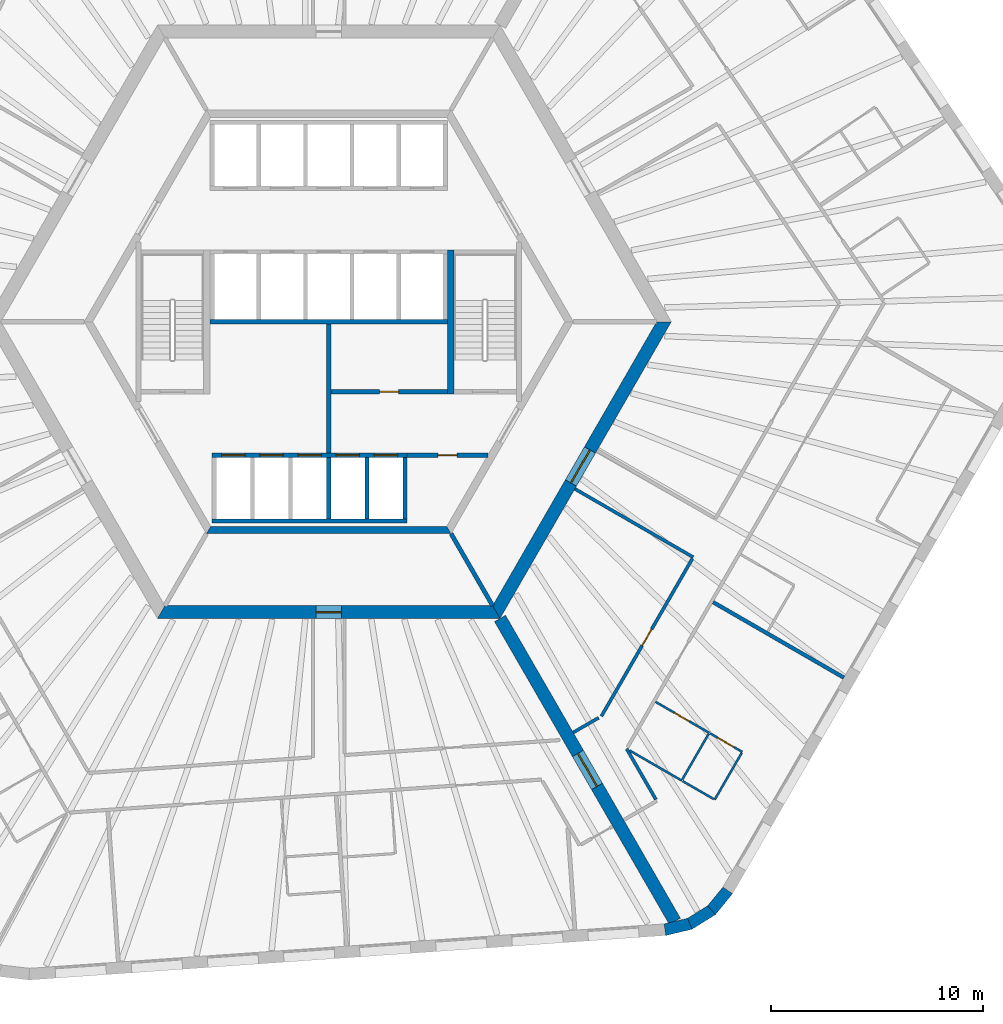
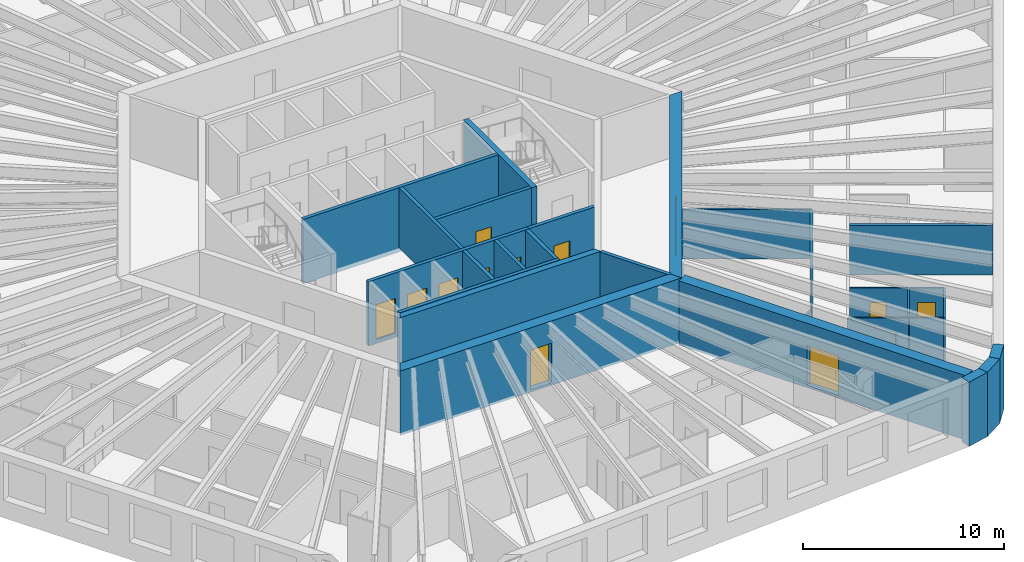
# One storey, part 5 of 11: 29 walls, 13 doors, 13 openings.
"""IFC4 building model written with IfcOpenShell, lengths in metres."""

from ifc_helpers import new_model, si_unit, direction, frame, frame_2d, origin, place, context, subcontext, project, spatial, polyline, rectangle, outline, extrude, material, layer, layer_set, type_object, element, fill, save


model = new_model("IFC4")

# Units and contexts
model_context = context("Model", 3, precision=1e-05, world=origin(), true_north=direction((0.0, 1.0)))
body_context = subcontext(model_context, "Body", "Model", "MODEL_VIEW")
ifc_project = project(units=[si_unit("LENGTHUNIT", "METRE"), si_unit("AREAUNIT", "SQUARE_METRE"), si_unit("VOLUMEUNIT", "CUBIC_METRE"), si_unit("PLANEANGLEUNIT", "RADIAN"), si_unit("MASSUNIT", "GRAM", prefix="KILO")], contexts=[model_context])

# Site, building, storey
site_placement = place(None, origin())
site = spatial("IfcSite", under=ifc_project, at=site_placement, CompositionType="ELEMENT")
building_placement = place(site_placement, origin())
building = spatial("IfcBuilding", under=site, at=building_placement, Name="Tarnside Tower", CompositionType="ELEMENT")
storey_placement = place(building_placement, frame((0.0, 0.0, 107.699951171875)))
storey = spatial("IfcBuildingStorey", under=building, at=storey_placement, Name="L24", CompositionType="ELEMENT", Elevation=107.699951171875)

# Wall
ifc_material_1 = material(Name="Gypsum board partition on steel studs", Category="steel")
ifc_layer_1 = layer(ifc_material_1, 0.10009765625)
ifc_layer_set_1 = layer_set([ifc_layer_1], Name="Bathroom wall 100")
wall_type_1 = type_object("IfcWallType", Name="Bathroom wall 100", PredefinedType="PARTITIONING", material=ifc_layer_set_1)
wall_1_placement = place(storey_placement, frame((16.656494140625, -21.64990234375, 0.0), z_axis=(0.0, 0.0, 1.0), x_axis=(-0.866041498374, 0.499972122318, 0.0)))
element("IfcWall", 1, at=wall_1_placement, inside=storey, type_object=wall_type_1, Name="Bathroom wall 07131", PredefinedType="PARTITIONING", context=body_context, shape_type="SweptSolid", body=[
    extrude(rectangle(XDim=2.849853515625, YDim=0.10009765625, at=frame_2d((1.4248046875, 0.0))), origin(), (0.0, 0.0, 1.0), 2.98779296875),
])

# Wall, opening, door
wall_2_placement = place(storey_placement, frame((15.42333984375, -17.935791015625, 0.0), z_axis=(0.0, 0.0, 1.0), x_axis=(0.86601045545, -0.500025890382, 0.0)))
wall_2 = element("IfcWall", 2, at=wall_2_placement, inside=storey, type_object=wall_type_1, Name="Bathroom wall 07132", PredefinedType="PARTITIONING", context=body_context, shape_type="SweptSolid", body=[
    extrude(rectangle(XDim=2.925048828125, YDim=0.10009765625, at=frame_2d((1.46240234375, 0.0))), origin(), (0.0, 0.0, 1.0), 2.98779296875),
])
opening_1_placement = place(wall_2_placement, frame((1.02490234375, 0.0, 0.0)))
opening_1 = element("IfcOpeningElement", 3, at=opening_1_placement, cuts=wall_2, Name="Opening D-B1", PredefinedType="OPENING", context=body_context, shape_type="SweptSolid", body=[
    extrude(rectangle(XDim=0.800048828125, YDim=2.10009765625, at=frame_2d((0.39990234375, 1.050048828125))), frame((0.0, 0.06005859375, 0.0), z_axis=(0.0, -1.0, 0.0), x_axis=(1.0, 0.0, 0.0)), (0.0, 0.0, 1.0), 0.1201171875),
])
ifc_material_2 = material(Name="Timber door leaf", Category="wood")
door_type_1 = type_object("IfcDoorType", Name="Bathroom door 800", OperationType="NOTDEFINED", PredefinedType="DOOR", material=ifc_material_2)
door_1_placement = place(opening_1_placement, origin())
door_1 = element("IfcDoor", 4, at=door_1_placement, inside=storey, type_object=door_type_1, Name="Bathroom door 07030", OperationType="SINGLE_SWING_RIGHT", OverallHeight=2.10009765625, OverallWidth=0.800048828125, PredefinedType="DOOR", context=body_context, shape_type="SweptSolid", body=[
    extrude(rectangle(XDim=0.800048828125, YDim=2.10009765625, at=frame_2d((0.39990234375, 1.050048828125))), frame((0.0, 0.02490234375, 0.0), z_axis=(0.0, -1.0, 0.0), x_axis=(1.0, 0.0, 0.0)), (0.0, 0.0, 1.0), 0.050048828125),
])
fill(opening_1, door_1)

# Walls
wall_3_placement = place(storey_placement, frame((16.681640625, -21.606689453125, 0.0), z_axis=(0.0, 0.0, 1.0), x_axis=(0.500004234368, 0.866022959057, 0.0)))
element("IfcWall", 5, at=wall_3_placement, inside=storey, type_object=wall_type_1, Name="Bathroom wall 07138", PredefinedType="PARTITIONING", context=body_context, shape_type="SweptSolid", body=[
    extrude(rectangle(XDim=2.5, YDim=0.10009765625, at=frame_2d((1.25, 0.0))), origin(), (0.0, 0.0, 1.0), 2.98779296875),
])
ifc_material_3 = material(Name="Concrete C50/60", Category="concrete")
ifc_layer_2 = layer(ifc_material_3, 0.35009765625)
ifc_layer_set_2 = layer_set([ifc_layer_2], Name="Core block wall 350 C50/60")
wall_type_2 = type_object("IfcWallType", Name="Core block wall 350 C50/60", PredefinedType="SHEAR", material=ifc_layer_set_2)
wall_4_placement = place(storey_placement, frame((-5.672607421875, -9.824951171875, -0.14990234375), z_axis=(0.0, 0.0, 1.0), x_axis=(1.0, 0.0, 0.0)))
element("IfcWall", 6, at=wall_4_placement, inside=storey, type_object=wall_type_2, Name="L24 core block wall face 4", PredefinedType="SHEAR", context=body_context, shape_type="SweptSolid", body=[
    extrude(outline(polyline([(-0.10107421875, -0.175048828125), (11.4462890625, -0.175048828125), (11.244140625, 0.175048828125), (0.10107421875, 0.175048828125), (-0.10107421875, -0.175048828125)])), origin(), (0.0, 0.0, 1.0), 3.89990234375),
])

# Wall, opening, door
ifc_material_4 = material(Name="Concrete C40/50", Category="concrete")
ifc_layer_3 = layer(ifc_material_4, 0.199951171875)
ifc_layer_set_3 = layer_set([ifc_layer_3], Name="Core room partition 200 C40/50")
wall_type_3 = type_object("IfcWallType", Name="Core room partition 200 C40/50", PredefinedType="PARTITIONING", material=ifc_layer_set_3)
wall_5_placement = place(storey_placement, frame((0.10009765625, -3.300048828125, 0.0), z_axis=(0.0, 0.0, 1.0), x_axis=(1.0, 0.0, 0.0)))
wall_5 = element("IfcWall", 7, at=wall_5_placement, inside=storey, type_object=wall_type_3, Name="L24 core partition R3S1", PredefinedType="PARTITIONING", context=body_context, shape_type="SweptSolid", body=[
    extrude(rectangle(XDim=5.5, YDim=0.199951171875, at=frame_2d((2.75, 0.0))), origin(), (0.0, 0.0, 1.0), 3.650146484375),
])
opening_2_placement = place(wall_5_placement, frame((2.300048828125, 0.0, 0.0)))
opening_2 = element("IfcOpeningElement", 8, at=opening_2_placement, cuts=wall_5, Name="Opening CD-room", PredefinedType="OPENING", context=body_context, shape_type="SweptSolid", body=[
    extrude(rectangle(XDim=0.89990234375, YDim=2.10009765625, at=frame_2d((0.449951171875, 1.050048828125))), frame((0.0, 0.10986328125, 0.0), z_axis=(0.0, -1.0, 0.0), x_axis=(1.0, 0.0, 0.0)), (0.0, 0.0, 1.0), 0.219970703125),
])
ifc_material_5 = material(Name="Steel fire door", Category="steel")
door_type_2 = type_object("IfcDoorType", Name="Room door FD60 900x2100", OperationType="NOTDEFINED", PredefinedType="DOOR", material=ifc_material_5)
door_2_placement = place(opening_2_placement, origin())
door_2 = element("IfcDoor", 9, at=door_2_placement, inside=storey, type_object=door_type_2, Name="L24 core room door SR1", OperationType="SINGLE_SWING_LEFT", OverallHeight=2.10009765625, OverallWidth=0.89990234375, PredefinedType="DOOR", context=body_context, shape_type="SweptSolid", body=[
    extrude(rectangle(XDim=0.89990234375, YDim=2.10009765625, at=frame_2d((0.449951171875, 1.050048828125))), frame((0.0, 0.02490234375, 0.0), z_axis=(0.0, -1.0, 0.0), x_axis=(1.0, 0.0, 0.0)), (0.0, 0.0, 1.0), 0.050048828125),
])
fill(opening_2, door_2)

# Wall
wall_6_placement = place(storey_placement, frame((0.0, -6.199951171875, 0.0), z_axis=(0.0, 0.0, 1.0), x_axis=(0.0, 1.0, 0.0)))
element("IfcWall", 10, at=wall_6_placement, inside=storey, type_object=wall_type_3, Name="L24 core partition X0", PredefinedType="PARTITIONING", context=body_context, shape_type="SweptSolid", body=[
    extrude(rectangle(XDim=6.099853515625, YDim=0.199951171875, at=frame_2d((3.0498046875, 0.0))), origin(), (0.0, 0.0, 1.0), 3.650146484375),
])

# Wall, opening, door
wall_7_placement = place(storey_placement, frame((3.699951171875, -6.300048828125, 0.0), z_axis=(0.0, 0.0, 1.0), x_axis=(1.0, 0.0, 0.0)))
wall_7 = element("IfcWall", 11, at=wall_7_placement, inside=storey, type_object=wall_type_3, Name="L24 core partition R4X", PredefinedType="PARTITIONING", context=body_context, shape_type="SweptSolid", body=[
    extrude(rectangle(XDim=3.8056640625, YDim=0.199951171875, at=frame_2d((1.90283203125, 0.0))), origin(), (0.0, 0.0, 1.0), 3.650146484375),
])
opening_3_placement = place(wall_7_placement, frame((1.452880859375, 0.0, 0.0)))
opening_3 = element("IfcOpeningElement", 12, at=opening_3_placement, cuts=wall_7, Name="Opening CD-room", PredefinedType="OPENING", context=body_context, shape_type="SweptSolid", body=[
    extrude(rectangle(XDim=0.89990234375, YDim=2.10009765625, at=frame_2d((0.449951171875, 1.050048828125))), frame((0.0, 0.10986328125, 0.0), z_axis=(0.0, -1.0, 0.0), x_axis=(1.0, 0.0, 0.0)), (0.0, 0.0, 1.0), 0.219970703125),
])
door_3_placement = place(opening_3_placement, origin())
door_3 = element("IfcDoor", 13, at=door_3_placement, inside=storey, type_object=door_type_2, Name="L24 core room door RX", OperationType="SINGLE_SWING_LEFT", OverallHeight=2.10009765625, OverallWidth=0.89990234375, PredefinedType="DOOR", context=body_context, shape_type="SweptSolid", body=[
    extrude(rectangle(XDim=0.89990234375, YDim=2.10009765625, at=frame_2d((0.449951171875, 1.050048828125))), frame((0.0, 0.02490234375, 0.0), z_axis=(0.0, -1.0, 0.0), x_axis=(1.0, 0.0, 0.0)), (0.0, 0.0, 1.0), 0.050048828125),
])
fill(opening_3, door_3)

ifc_material_6 = material(Name="Concrete C80/95", Category="concrete")
ifc_layer_4 = layer(ifc_material_6, 0.60009765625)
ifc_layer_set_4 = layer_set([ifc_layer_4], Name="Core wall Z1 600 C80/95")
wall_type_4 = type_object("IfcWallType", Name="Core wall Z1 600 C80/95", PredefinedType="SHEAR", material=ifc_layer_set_4)
wall_8_placement = place(storey_placement, frame((-7.90966796875, -13.699951171875, -0.14990234375), z_axis=(0.0, 0.0, 1.0), x_axis=(1.0, 0.0, 0.0)))
wall_8 = element("IfcWall", 14, at=wall_8_placement, inside=storey, type_object=wall_type_4, Name="L24 core wall face 4", PredefinedType="SHEAR", context=body_context, shape_type="SweptSolid", body=[
    extrude(outline(polyline([(-0.17333984375, -0.300048828125), (15.99267578125, -0.300048828125), (15.64599609375, 0.300048828125), (0.17333984375, 0.300048828125), (-0.17333984375, -0.300048828125)])), origin(), (0.0, 0.0, 1.0), 3.89990234375),
])
opening_4_placement = place(wall_8_placement, frame((7.309814453125, 0.0, 0.14990234375)))
opening_4 = element("IfcOpeningElement", 15, at=opening_4_placement, cuts=wall_8, Name="Opening CD-RSR", PredefinedType="OPENING", context=body_context, shape_type="SweptSolid", body=[
    extrude(rectangle(XDim=1.199951171875, YDim=2.39990234375, at=frame_2d((0.60009765625, 1.199951171875))), frame((0.0, 0.31005859375, 0.0), z_axis=(0.0, -1.0, 0.0), x_axis=(1.0, 0.0, 0.0)), (0.0, 0.0, 1.0), 0.6201171875),
])
door_type_3 = type_object("IfcDoorType", Name="Riser door FD60 1200x2400", OperationType="NOTDEFINED", PredefinedType="DOOR", material=ifc_material_5)
door_4_placement = place(opening_4_placement, origin())
door_4 = element("IfcDoor", 16, at=door_4_placement, inside=storey, type_object=door_type_3, Name="L24 core door S6", OperationType="SINGLE_SWING_LEFT", OverallHeight=2.39990234375, OverallWidth=1.199951171875, PredefinedType="DOOR", context=body_context, shape_type="SweptSolid", body=[
    extrude(rectangle(XDim=1.199951171875, YDim=2.39990234375, at=frame_2d((0.60009765625, 1.199951171875))), frame((0.0, 0.02490234375, 0.0), z_axis=(0.0, -1.0, 0.0), x_axis=(1.0, 0.0, 0.0)), (0.0, 0.0, 1.0), 0.050048828125),
])
fill(opening_4, door_4)

wall_9_placement = place(storey_placement, frame((7.90966796875, -13.699951171875, -0.14990234375), z_axis=(0.0, 0.0, 1.0), x_axis=(0.499999880136, 0.866025472988, 0.0)))
wall_9 = element("IfcWall", 17, at=wall_9_placement, inside=storey, type_object=wall_type_4, Name="L24 core wall face 5", PredefinedType="SHEAR", context=body_context, shape_type="SweptSolid", body=[
    extrude(outline(polyline([(-0.17333984375, -0.300048828125), (15.99267578125, -0.300048828125), (15.64599609375, 0.300048828125), (0.17333984375, 0.300048828125), (-0.17333984375, -0.300048828125)])), origin(), (0.0, 0.0, 1.0), 3.89990234375),
])
opening_5_placement = place(wall_9_placement, frame((7.03857421875, 0.0, 0.14990234375)))
opening_5 = element("IfcOpeningElement", 18, at=opening_5_placement, cuts=wall_9, Name="Opening CD-FFL", PredefinedType="OPENING", context=body_context, shape_type="SweptSolid", body=[
    extrude(rectangle(XDim=1.800048828125, YDim=2.39990234375, at=frame_2d((0.89990234375, 1.199951171875))), frame((0.0, 0.31005859375, 0.0), z_axis=(0.0, -1.0, 0.0), x_axis=(1.0, 0.0, 0.0)), (0.0, 0.0, 1.0), 0.6201171875),
])
door_type_4 = type_object("IfcDoorType", Name="Firefighting lobby double door FD60S 1800x2400", OperationType="NOTDEFINED", PredefinedType="DOOR", material=ifc_material_5)
door_5_placement = place(opening_5_placement, origin())
door_5 = element("IfcDoor", 19, at=door_5_placement, inside=storey, type_object=door_type_4, Name="L24 core door P4", OperationType="DOUBLE_DOOR_SINGLE_SWING", OverallHeight=2.39990234375, OverallWidth=1.800048828125, PredefinedType="DOOR", context=body_context, shape_type="SweptSolid", body=[
    extrude(rectangle(XDim=1.800048828125, YDim=2.39990234375, at=frame_2d((0.89990234375, 1.199951171875))), frame((0.0, 0.02490234375, 0.0), z_axis=(0.0, -1.0, 0.0), x_axis=(1.0, 0.0, 0.0)), (0.0, 0.0, 1.0), 0.050048828125),
])
fill(opening_5, door_5)

wall_10_placement = place(storey_placement, frame((8.0830078125, -14.0, -0.14990234375), z_axis=(0.0, 0.0, 1.0), x_axis=(0.499997680643, -0.866026742862, 0.0)))
wall_10 = element("IfcWall", 20, at=wall_10_placement, inside=storey, type_object=wall_type_4, Name="L24 spine wall 3", PredefinedType="SHEAR", context=body_context, shape_type="SweptSolid", body=[
    extrude(rectangle(XDim=16.5087890625, YDim=0.60009765625, at=frame_2d((8.25439453125, 0.0))), origin(), (0.0, 0.0, 1.0), 3.89990234375),
])
opening_6_placement = place(wall_10_placement, frame((7.3544921875, 0.0, 0.14990234375)))
opening_6 = element("IfcOpeningElement", 21, at=opening_6_placement, cuts=wall_10, Name="Opening CD-SPN", PredefinedType="OPENING", context=body_context, shape_type="SweptSolid", body=[
    extrude(rectangle(XDim=1.800048828125, YDim=2.39990234375, at=frame_2d((0.89990234375, 1.199951171875))), frame((0.0, 0.31005859375, 0.0), z_axis=(0.0, -1.0, 0.0), x_axis=(1.0, 0.0, 0.0)), (0.0, 0.0, 1.0), 0.6201171875),
])
door_type_5 = type_object("IfcDoorType", Name="Spine passage double door FD60 1800x2400", OperationType="NOTDEFINED", PredefinedType="DOOR", material=ifc_material_5)
door_6_placement = place(opening_6_placement, origin())
door_6 = element("IfcDoor", 22, at=door_6_placement, inside=storey, type_object=door_type_5, Name="L24 spine passage door 3", OperationType="DOUBLE_DOOR_SINGLE_SWING", OverallHeight=2.39990234375, OverallWidth=1.800048828125, PredefinedType="DOOR", context=body_context, shape_type="SweptSolid", body=[
    extrude(rectangle(XDim=1.800048828125, YDim=2.39990234375, at=frame_2d((0.89990234375, 1.199951171875))), frame((0.0, 0.02490234375, 0.0), z_axis=(0.0, -1.0, 0.0), x_axis=(1.0, 0.0, 0.0)), (0.0, 0.0, 1.0), 0.050048828125),
])
fill(opening_6, door_6)

# Walls
ifc_layer_5 = layer(ifc_material_1, 0.14990234375)
ifc_layer_set_5 = layer_set([ifc_layer_5], Name="Corridor wall 150 EI 60")
wall_type_5 = type_object("IfcWallType", Name="Corridor wall 150 EI 60", PredefinedType="PARTITIONING", material=ifc_layer_set_5)
wall_11_placement = place(storey_placement, frame((15.44140625, -22.545166015625, 0.0), z_axis=(0.0, 0.0, 1.0), x_axis=(-0.499974611044, 0.866040061609, 0.0)))
element("IfcWall", 23, at=wall_11_placement, inside=storey, type_object=wall_type_5, Name="Corridor wall 07053", PredefinedType="PARTITIONING", context=body_context, shape_type="SweptSolid", body=[
    extrude(rectangle(XDim=2.765869140625, YDim=0.14990234375, at=frame_2d((1.3828125, 0.0))), origin(), (0.0, 0.0, 1.0), 2.98779296875),
])
wall_12_placement = place(storey_placement, frame((11.61376953125, -7.88427734375, 0.0), z_axis=(0.0, 0.0, 1.0), x_axis=(0.866021702275, -0.500006411147, 0.0)))
element("IfcWall", 24, at=wall_12_placement, inside=storey, type_object=wall_type_5, Name="Corridor wall 07071", PredefinedType="PARTITIONING", context=body_context, shape_type="SweptSolid", body=[
    extrude(rectangle(XDim=6.4501953125, YDim=0.14990234375, at=frame_2d((3.22509765625, 0.0))), origin(), (0.0, 0.0, 1.0), 2.98779296875),
])

# Wall, opening, door
wall_13_placement = place(storey_placement, frame((17.162109375, -11.17431640625, 0.0), z_axis=(0.0, 0.0, 1.0), x_axis=(-0.499997214665, -0.866027011893, 0.0)))
wall_13 = element("IfcWall", 25, at=wall_13_placement, inside=storey, type_object=wall_type_5, Name="Corridor wall 07072", PredefinedType="PARTITIONING", context=body_context, shape_type="SweptSolid", body=[
    extrude(rectangle(XDim=8.5888671875, YDim=0.14990234375, at=frame_2d((4.29443359375, 0.0))), origin(), (0.0, 0.0, 1.0), 2.98779296875),
])
opening_7_placement = place(wall_13_placement, frame((3.844482421875, 0.0, 0.0)))
opening_7 = element("IfcOpeningElement", 26, at=opening_7_placement, cuts=wall_13, Name="Opening D-S1", PredefinedType="OPENING", context=body_context, shape_type="SweptSolid", body=[
    extrude(rectangle(XDim=0.89990234375, YDim=2.10009765625, at=frame_2d((0.449951171875, 1.050048828125))), frame((0.0, 0.0849609375, 0.0), z_axis=(0.0, -1.0, 0.0), x_axis=(1.0, 0.0, 0.0)), (0.0, 0.0, 1.0), 0.169921875),
])
door_type_6 = type_object("IfcDoorType", Name="Service room door 900 FD30S", OperationType="NOTDEFINED", PredefinedType="DOOR", material=ifc_material_2)
door_7_placement = place(opening_7_placement, origin())
door_7 = element("IfcDoor", 27, at=door_7_placement, inside=storey, type_object=door_type_6, Name="Service door 07049", OperationType="SINGLE_SWING_LEFT", OverallHeight=2.10009765625, OverallWidth=0.89990234375, PredefinedType="DOOR", context=body_context, shape_type="SweptSolid", body=[
    extrude(rectangle(XDim=0.89990234375, YDim=2.10009765625, at=frame_2d((0.449951171875, 1.050048828125))), frame((0.0, 0.02490234375, 0.0), z_axis=(0.0, -1.0, 0.0), x_axis=(1.0, 0.0, 0.0)), (0.0, 0.0, 1.0), 0.050048828125),
])
fill(opening_7, door_7)

# Walls
wall_14_placement = place(storey_placement, frame((12.73779296875, -18.6875, 0.0), z_axis=(0.0, 0.0, 1.0), x_axis=(-0.866080107329, -0.499905238708, 0.0)))
element("IfcWall", 28, at=wall_14_placement, inside=storey, type_object=wall_type_5, Name="Corridor wall 07073", PredefinedType="PARTITIONING", context=body_context, shape_type="SweptSolid", body=[
    extrude(rectangle(XDim=1.387451171875, YDim=0.14990234375, at=frame_2d((0.69384765625, 0.0))), origin(), (0.0, 0.0, 1.0), 2.98779296875),
])
ifc_layer_6 = layer(ifc_material_1, 0.179931640625)
ifc_layer_set_6 = layer_set([ifc_layer_6], Name="Demising wall 180 EI 60")
wall_type_6 = type_object("IfcWallType", Name="Demising wall 180 EI 60", PredefinedType="PARTITIONING", material=ifc_layer_set_6)
wall_15_placement = place(storey_placement, frame((24.31005859375, -16.7939453125, 0.0), z_axis=(0.0, 0.0, 1.0), x_axis=(-0.866024672353, 0.500001266874, 0.0)))
element("IfcWall", 29, at=wall_15_placement, inside=storey, type_object=wall_type_6, Name="Demising wall 07136", PredefinedType="PARTITIONING", context=body_context, shape_type="SweptSolid", body=[
    extrude(rectangle(XDim=7.125, YDim=0.179931640625, at=frame_2d((3.5625, 0.0))), origin(), (0.0, 0.0, 1.0), 2.98779296875),
])
ifc_layer_7 = layer(ifc_material_4, 0.199951171875)
ifc_layer_set_7 = layer_set([ifc_layer_7], Name="Lift shaft wall 200 C40/50")
wall_type_7 = type_object("IfcWallType", Name="Lift shaft wall 200 C40/50", PredefinedType="SHEAR", material=ifc_layer_set_7)
wall_16_placement = place(storey_placement, frame((-5.60009765625, 0.0, -0.25), z_axis=(0.0, 0.0, 1.0), x_axis=(1.0, 0.0, 0.0)))
element("IfcWall", 30, at=wall_16_placement, inside=storey, type_object=wall_type_7, Name="L24 lift shaft back wall R2", PredefinedType="SHEAR", context=body_context, shape_type="SweptSolid", body=[
    extrude(rectangle(XDim=11.2001953125, YDim=0.199951171875, at=frame_2d((5.60009765625, 0.0))), origin(), (0.0, 0.0, 1.0), 3.900146484375),
])

# Wall, openings, doors
wall_17_placement = place(storey_placement, frame((-5.5, -6.300048828125, -0.25), z_axis=(0.0, 0.0, 1.0), x_axis=(1.0, 0.0, 0.0)))
wall_17 = element("IfcWall", 31, at=wall_17_placement, inside=storey, type_object=wall_type_7, Name="L24 lift shaft front wall R4", PredefinedType="SHEAR", context=body_context, shape_type="SweptSolid", body=[
    extrude(rectangle(XDim=9.199951171875, YDim=0.199951171875, at=frame_2d((4.60009765625, 0.0))), origin(), (0.0, 0.0, 1.0), 3.900146484375),
])
opening_8_placement = place(wall_17_placement, frame((0.449951171875, 0.0, 0.25)))
opening_8 = element("IfcOpeningElement", 32, at=opening_8_placement, cuts=wall_17, Name="Opening LDF", PredefinedType="OPENING", context=body_context, shape_type="SweptSolid", body=[
    extrude(rectangle(XDim=1.10009765625, YDim=2.10009765625, at=frame_2d((0.550048828125, 1.050048828125))), frame((0.0, 0.10986328125, 0.0), z_axis=(0.0, -1.0, 0.0), x_axis=(1.0, 0.0, 0.0)), (0.0, 0.0, 1.0), 0.219970703125),
])
opening_9_placement = place(wall_17_placement, frame((2.25, 0.0, 0.25)))
opening_9 = element("IfcOpeningElement", 33, at=opening_9_placement, cuts=wall_17, Name="Opening LDF", PredefinedType="OPENING", context=body_context, shape_type="SweptSolid", body=[
    extrude(rectangle(XDim=1.10009765625, YDim=2.10009765625, at=frame_2d((0.550048828125, 1.050048828125))), frame((0.0, 0.10986328125, 0.0), z_axis=(0.0, -1.0, 0.0), x_axis=(1.0, 0.0, 0.0)), (0.0, 0.0, 1.0), 0.219970703125),
])
opening_10_placement = place(wall_17_placement, frame((4.050048828125, 0.0, 0.25)))
opening_10 = element("IfcOpeningElement", 34, at=opening_10_placement, cuts=wall_17, Name="Opening LDF", PredefinedType="OPENING", context=body_context, shape_type="SweptSolid", body=[
    extrude(rectangle(XDim=1.10009765625, YDim=2.10009765625, at=frame_2d((0.550048828125, 1.050048828125))), frame((0.0, 0.10986328125, 0.0), z_axis=(0.0, -1.0, 0.0), x_axis=(1.0, 0.0, 0.0)), (0.0, 0.0, 1.0), 0.219970703125),
])
opening_11_placement = place(wall_17_placement, frame((5.85009765625, 0.0, 0.25)))
opening_11 = element("IfcOpeningElement", 35, at=opening_11_placement, cuts=wall_17, Name="Opening LDF", PredefinedType="OPENING", context=body_context, shape_type="SweptSolid", body=[
    extrude(rectangle(XDim=1.10009765625, YDim=2.10009765625, at=frame_2d((0.550048828125, 1.050048828125))), frame((0.0, 0.10986328125, 0.0), z_axis=(0.0, -1.0, 0.0), x_axis=(1.0, 0.0, 0.0)), (0.0, 0.0, 1.0), 0.219970703125),
])
opening_12_placement = place(wall_17_placement, frame((7.64990234375, 0.0, 0.25)))
opening_12 = element("IfcOpeningElement", 36, at=opening_12_placement, cuts=wall_17, Name="Opening LDF", PredefinedType="OPENING", context=body_context, shape_type="SweptSolid", body=[
    extrude(rectangle(XDim=1.10009765625, YDim=2.10009765625, at=frame_2d((0.550048828125, 1.050048828125))), frame((0.0, 0.10986328125, 0.0), z_axis=(0.0, -1.0, 0.0), x_axis=(1.0, 0.0, 0.0)), (0.0, 0.0, 1.0), 0.219970703125),
])
ifc_material_7 = material(Name="Stainless steel", Category="steel")
door_type_7 = type_object("IfcDoorType", Name="Lift landing door 1100x2100 EI 120", OperationType="NOTDEFINED", PredefinedType="DOOR", material=ifc_material_7)
door_8_placement = place(opening_8_placement, origin())
door_8 = element("IfcDoor", 37, at=door_8_placement, inside=storey, type_object=door_type_7, Name="Firefighting lift 1 landing door L24", OperationType="SLIDING_TO_LEFT", OverallHeight=2.10009765625, OverallWidth=1.10009765625, PredefinedType="DOOR", context=body_context, shape_type="SweptSolid", body=[
    extrude(rectangle(XDim=1.10009765625, YDim=2.10009765625, at=frame_2d((0.550048828125, 1.050048828125))), frame((0.0, 0.02490234375, 0.0), z_axis=(0.0, -1.0, 0.0), x_axis=(1.0, 0.0, 0.0)), (0.0, 0.0, 1.0), 0.050048828125),
])
fill(opening_8, door_8)
door_9_placement = place(opening_9_placement, origin())
door_9 = element("IfcDoor", 38, at=door_9_placement, inside=storey, type_object=door_type_7, Name="Firefighting lift 2 landing door L24", OperationType="SLIDING_TO_LEFT", OverallHeight=2.10009765625, OverallWidth=1.10009765625, PredefinedType="DOOR", context=body_context, shape_type="SweptSolid", body=[
    extrude(rectangle(XDim=1.10009765625, YDim=2.10009765625, at=frame_2d((0.550048828125, 1.050048828125))), frame((0.0, 0.02490234375, 0.0), z_axis=(0.0, -1.0, 0.0), x_axis=(1.0, 0.0, 0.0)), (0.0, 0.0, 1.0), 0.050048828125),
])
fill(opening_9, door_9)
door_10_placement = place(opening_10_placement, origin())
door_10 = element("IfcDoor", 39, at=door_10_placement, inside=storey, type_object=door_type_7, Name="Firefighting lift 3 landing door L24", OperationType="SLIDING_TO_LEFT", OverallHeight=2.10009765625, OverallWidth=1.10009765625, PredefinedType="DOOR", context=body_context, shape_type="SweptSolid", body=[
    extrude(rectangle(XDim=1.10009765625, YDim=2.10009765625, at=frame_2d((0.550048828125, 1.050048828125))), frame((0.0, 0.02490234375, 0.0), z_axis=(0.0, -1.0, 0.0), x_axis=(1.0, 0.0, 0.0)), (0.0, 0.0, 1.0), 0.050048828125),
])
fill(opening_10, door_10)
door_11_placement = place(opening_11_placement, origin())
door_11 = element("IfcDoor", 40, at=door_11_placement, inside=storey, type_object=door_type_7, Name="Firefighting lift 4 landing door L24", OperationType="SLIDING_TO_LEFT", OverallHeight=2.10009765625, OverallWidth=1.10009765625, PredefinedType="DOOR", context=body_context, shape_type="SweptSolid", body=[
    extrude(rectangle(XDim=1.10009765625, YDim=2.10009765625, at=frame_2d((0.550048828125, 1.050048828125))), frame((0.0, 0.02490234375, 0.0), z_axis=(0.0, -1.0, 0.0), x_axis=(1.0, 0.0, 0.0)), (0.0, 0.0, 1.0), 0.050048828125),
])
fill(opening_11, door_11)
door_12_placement = place(opening_12_placement, origin())
door_12 = element("IfcDoor", 41, at=door_12_placement, inside=storey, type_object=door_type_7, Name="Firefighting lift 5 landing door L24", OperationType="SLIDING_TO_LEFT", OverallHeight=2.10009765625, OverallWidth=1.10009765625, PredefinedType="DOOR", context=body_context, shape_type="SweptSolid", body=[
    extrude(rectangle(XDim=1.10009765625, YDim=2.10009765625, at=frame_2d((0.550048828125, 1.050048828125))), frame((0.0, 0.02490234375, 0.0), z_axis=(0.0, -1.0, 0.0), x_axis=(1.0, 0.0, 0.0)), (0.0, 0.0, 1.0), 0.050048828125),
])
fill(opening_12, door_12)

# Walls
wall_18_placement = place(storey_placement, frame((-5.5, -9.39990234375, -0.25), z_axis=(0.0, 0.0, 1.0), x_axis=(1.0, 0.0, 0.0)))
element("IfcWall", 42, at=wall_18_placement, inside=storey, type_object=wall_type_7, Name="L24 lift shaft back wall R4", PredefinedType="SHEAR", context=body_context, shape_type="SweptSolid", body=[
    extrude(rectangle(XDim=9.199951171875, YDim=0.199951171875, at=frame_2d((4.60009765625, 0.0))), origin(), (0.0, 0.0, 1.0), 3.900146484375),
])
for number, where, z_axis, x_axis, name in (
    (43, (0.0, -9.300048828125, -0.25), (0.0, 0.0, 1.0), (0.0, 1.0, 0.0), "L24 lift shaft partition R44"),
    (44, (1.800048828125, -9.300048828125, -0.25), (0.0, 0.0, 1.0), (0.0, 1.0, 0.0), "L24 lift shaft partition R45"),
    (45, (3.60009765625, -9.300048828125, -0.25), (0.0, 0.0, 1.0), (0.0, 1.0, 0.0), "L24 lift shaft partition R46"),
):
    element("IfcWall", number, at=place(storey_placement, frame(where, z_axis=z_axis, x_axis=x_axis)), inside=storey, type_object=wall_type_7, Name=name, PredefinedType="SHEAR", context=body_context, shape_type="SweptSolid", body=[
        extrude(rectangle(XDim=2.900146484375, YDim=0.199951171875, at=frame_2d((1.4501953125, 0.0))), origin(), (0.0, 0.0, 1.0), 3.900146484375),
    ])
wall_19_placement = place(storey_placement, frame((5.7734375, -10.0, -0.14990234375), z_axis=(0.0, 0.0, 1.0), x_axis=(0.500038251005, -0.86600331843, 0.0)))
element("IfcWall", 46, at=wall_19_placement, inside=storey, type_object=wall_type_7, Name="L24 core partition AR300", PredefinedType="SHEAR", context=body_context, shape_type="SweptSolid", body=[
    extrude(rectangle(XDim=3.926025390625, YDim=0.199951171875, at=frame_2d((1.962890625, 0.0))), origin(), (0.0, 0.0, 1.0), 3.89990234375),
])

# Wall, opening, door
ifc_layer_8 = layer(ifc_material_1, 0.10009765625)
ifc_layer_set_8 = layer_set([ifc_layer_8], Name="Partition 100")
wall_type_8 = type_object("IfcWallType", Name="Partition 100", PredefinedType="PARTITIONING", material=ifc_layer_set_8)
wall_20_placement = place(storey_placement, frame((17.999755859375, -19.42333984375, 0.0), z_axis=(0.0, 0.0, 1.0), x_axis=(0.866036909293, -0.499980071345, 0.0)))
wall_20 = element("IfcWall", 47, at=wall_20_placement, inside=storey, type_object=wall_type_8, Name="Partition wall 07133", PredefinedType="PARTITIONING", context=body_context, shape_type="SweptSolid", body=[
    extrude(rectangle(XDim=1.75, YDim=0.10009765625, at=frame_2d((0.875, 0.0))), origin(), (0.0, 0.0, 1.0), 2.98779296875),
])
opening_13_placement = place(wall_20_placement, frame((0.39990234375, 0.0, 0.0)))
opening_13 = element("IfcOpeningElement", 48, at=opening_13_placement, cuts=wall_20, Name="Opening D-I1", PredefinedType="OPENING", context=body_context, shape_type="SweptSolid", body=[
    extrude(rectangle(XDim=0.89990234375, YDim=2.10009765625, at=frame_2d((0.449951171875, 1.050048828125))), frame((0.0, 0.06005859375, 0.0), z_axis=(0.0, -1.0, 0.0), x_axis=(1.0, 0.0, 0.0)), (0.0, 0.0, 1.0), 0.1201171875),
])
door_type_8 = type_object("IfcDoorType", Name="Internal door 900", OperationType="NOTDEFINED", PredefinedType="DOOR", material=ifc_material_2)
door_13_placement = place(opening_13_placement, origin())
door_13 = element("IfcDoor", 49, at=door_13_placement, inside=storey, type_object=door_type_8, Name="Internal door 07031", OperationType="SINGLE_SWING_RIGHT", OverallHeight=2.10009765625, OverallWidth=0.89990234375, PredefinedType="DOOR", context=body_context, shape_type="SweptSolid", body=[
    extrude(rectangle(XDim=0.89990234375, YDim=2.10009765625, at=frame_2d((0.449951171875, 1.050048828125))), frame((0.0, 0.02490234375, 0.0), z_axis=(0.0, -1.0, 0.0), x_axis=(1.0, 0.0, 0.0)), (0.0, 0.0, 1.0), 0.050048828125),
])
fill(opening_13, door_13)

# Walls
wall_21_placement = place(storey_placement, frame((19.490478515625, -20.341552734375, 0.0), z_axis=(0.0, 0.0, 1.0), x_axis=(-0.500020783669, -0.866013403995, 0.0)))
element("IfcWall", 50, at=wall_21_placement, inside=storey, type_object=wall_type_8, Name="Partition wall 07134", PredefinedType="PARTITIONING", context=body_context, shape_type="SweptSolid", body=[
    extrude(rectangle(XDim=2.55029296875, YDim=0.10009765625, at=frame_2d((1.275146484375, 0.0))), origin(), (0.0, 0.0, 1.0), 2.98779296875),
])
wall_22_placement = place(storey_placement, frame((18.172119140625, -22.52490234375, 0.0), z_axis=(0.0, 0.0, 1.0), x_axis=(-0.86605165483, 0.499954529098, 0.0)))
element("IfcWall", 51, at=wall_22_placement, inside=storey, type_object=wall_type_8, Name="Partition wall 07135", PredefinedType="PARTITIONING", context=body_context, shape_type="SweptSolid", body=[
    extrude(rectangle(XDim=1.699951171875, YDim=0.10009765625, at=frame_2d((0.85009765625, 0.0))), origin(), (0.0, 0.0, 1.0), 2.98779296875),
])
ifc_layer_9 = layer(ifc_material_4, 0.300048828125)
ifc_layer_set_9 = layer_set([ifc_layer_9], Name="Stair enclosure wall 300 C40/50")
wall_type_9 = type_object("IfcWallType", Name="Stair enclosure wall 300 C40/50", PredefinedType="SHEAR", material=ifc_layer_set_9)
wall_23_placement = place(storey_placement, frame((5.75, -3.39990234375, -0.25), z_axis=(0.0, 0.0, 1.0), x_axis=(0.0, 1.0, 0.0)))
element("IfcWall", 52, at=wall_23_placement, inside=storey, type_object=wall_type_9, Name="L24 stair 1 enclosure wall inner", PredefinedType="SHEAR", context=body_context, shape_type="SweptSolid", body=[
    extrude(rectangle(XDim=6.7998046875, YDim=0.300048828125, at=frame_2d((3.39990234375, 0.0))), origin(), (0.0, 0.0, 1.0), 3.900146484375),
])
ifc_material_8 = material(Name="Facing brick", Category="masonry")
ifc_layer_10 = layer(ifc_material_8, 0.10205078125)
ifc_material_9 = material(Name="Concrete C60/75 precast", Category="concrete")
ifc_layer_11 = layer(ifc_material_9, 0.347900390625)
ifc_material_10 = material(Name="Mineral wool insulation")
ifc_layer_12 = layer(ifc_material_10, 0.10009765625)
ifc_layer_set_10 = layer_set([ifc_layer_10, ifc_layer_11, ifc_layer_12], Name="Tube wall 550 brick faced")
wall_type_10 = type_object("IfcWallType", Name="Tube wall 550 brick faced", PredefinedType="SOLIDWALL", material=ifc_layer_set_10)
wall_24_placement = place(storey_placement, frame((15.8642578125, -28.688232421875, -0.14990234375), z_axis=(0.0, 0.0, 1.0), x_axis=(0.973063591128, 0.230536868247, 0.0)))
element("IfcWall", 53, at=wall_24_placement, inside=storey, type_object=wall_type_10, Name="Tube wall L24 F4 chord 13", PredefinedType="SOLIDWALL", context=body_context, shape_type="SweptSolid", body=[
    extrude(outline(polyline([(-0.0224609375, -0.27490234375), (1.25341796875, -0.27490234375), (1.1630859375, 0.27490234375), (0.0224609375, 0.27490234375), (-0.0224609375, -0.27490234375)])), origin(), (0.0, 0.0, 1.0), 3.89990234375),
])
wall_25_placement = place(storey_placement, frame((17.0400390625, -28.40966796875, -0.14990234375), z_axis=(0.0, 0.0, 1.0), x_axis=(0.847952888306, 0.530071598195, 0.0)))
element("IfcWall", 54, at=wall_25_placement, inside=storey, type_object=wall_type_10, Name="Tube wall L24 F4 chord 14", PredefinedType="SOLIDWALL", context=body_context, shape_type="SweptSolid", body=[
    extrude(outline(polyline([(-0.045166015625, -0.27490234375), (1.253173828125, -0.27490234375), (1.162841796875, 0.27490234375), (0.045166015625, 0.27490234375), (-0.045166015625, -0.27490234375)])), origin(), (0.0, 0.0, 1.0), 3.89990234375),
])
wall_26_placement = place(storey_placement, frame((18.064453125, -27.769287109375, -0.14990234375), z_axis=(0.0, 0.0, 1.0), x_axis=(0.633842757806, 0.773461930787, 0.0)))
element("IfcWall", 55, at=wall_26_placement, inside=storey, type_object=wall_type_10, Name="Tube wall L24 F4 chord 15", PredefinedType="SOLIDWALL", context=body_context, shape_type="SweptSolid", body=[
    extrude(outline(polyline([(-0.045166015625, -0.27490234375), (1.230712890625, -0.27490234375), (1.185791015625, 0.27490234375), (0.045166015625, 0.27490234375), (-0.045166015625, -0.27490234375)])), origin(), (0.0, 0.0, 1.0), 3.89990234375),
])

save(model, "model.ifc")
